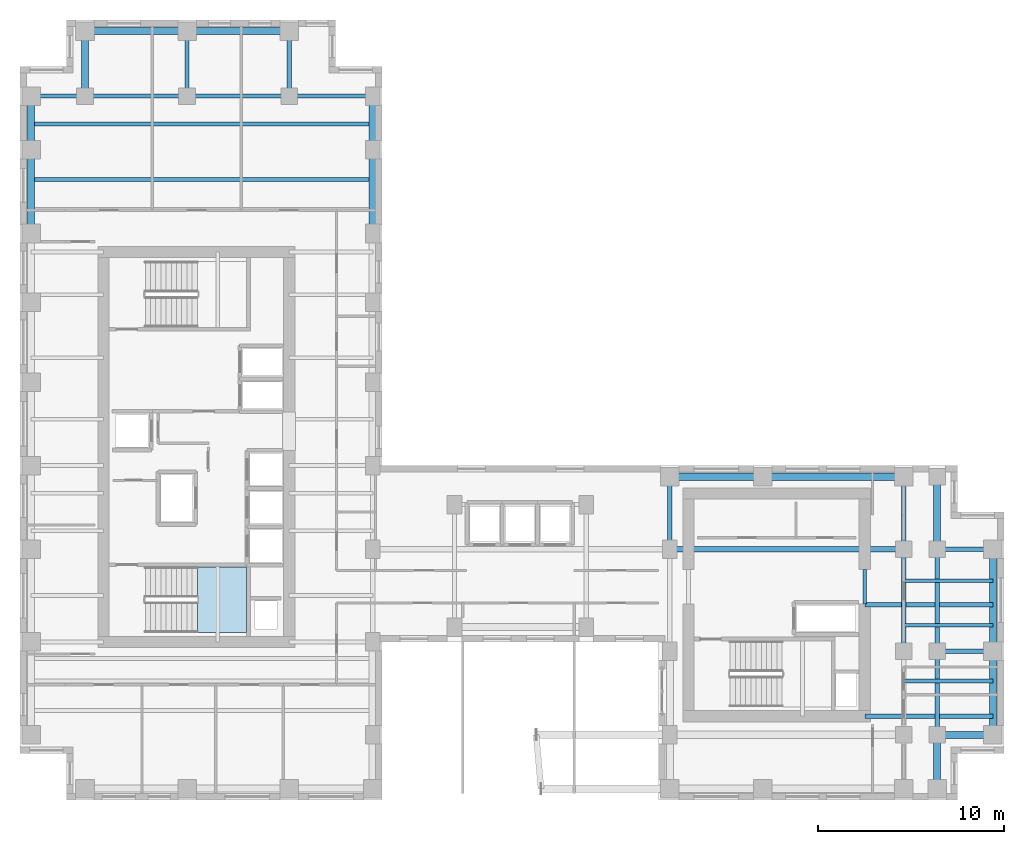
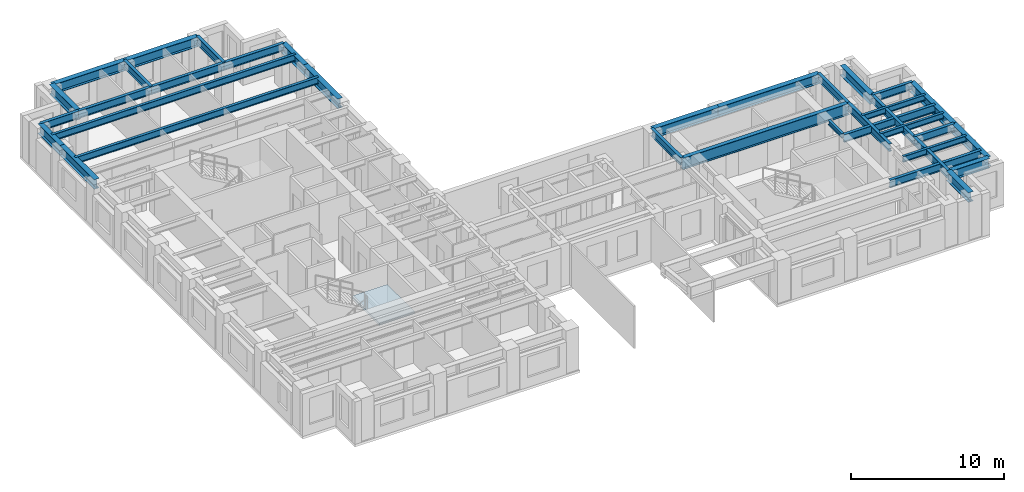
# One storey, part 3 of 13: 36 beams, 1 slab, 1 element without a shape of its own.
"""IFC4 building model written with IfcOpenShell, lengths in metres."""

import ifcopenshell
import ifcopenshell.guid

model = None  # the IFC model being written
_history = None  # IfcOwnerHistory: only IFC2X3 demands one
_inside = {}  # id of a spatial element -> (the spatial element, [elements in it])
_under = {}  # id of a project, library or spatial element -> (it, [spatial elements below it])
_declared = {}  # id of a project -> (the project, [libraries it declares])
_typed = {}  # id of a type object -> (the type object, [elements of that type])
_made_of = {}  # id of a material, layer set ... -> (it, [elements and type objects made of it])


def new_model(schema):
    """Start an empty IFC model of exactly this schema.

    Asked for "IFC4X3", IfcOpenShell would pick the latest addendum, in which some entities
    have other attributes; the version numbers below select the first issue.
    IFC2X3 requires an IfcOwnerHistory on every rooted entity: one is made here for all.
    """
    global model, _history
    if schema == "IFC4X3":
        model = ifcopenshell.file(schema_version=(4, 3, 0, 0))
    else:
        model = ifcopenshell.file(schema=schema)
    _inside.clear()
    _under.clear()
    _declared.clear()
    _typed.clear()
    _made_of.clear()
    _history = None
    if model.schema == "IFC2X3":
        org = make("IfcOrganization", Name="unknown")
        user = make(
            "IfcPersonAndOrganization",
            ThePerson=make("IfcPerson", FamilyName="unknown"),
            TheOrganization=org,
        )
        app = make(
            "IfcApplication",
            ApplicationDeveloper=org,
            Version="unknown",
            ApplicationFullName="unknown",
            ApplicationIdentifier="unknown",
        )
        _history = make(
            "IfcOwnerHistory",
            OwningUser=user,
            OwningApplication=app,
            ChangeAction="ADDED",
            CreationDate=0,
        )
    return model


def make(cls, **values):
    """One entity of the class cls with the attributes given. An attribute that is None is left unset."""
    return model.create_entity(
        cls, **{name: value for name, value in values.items() if value is not None}
    )


def rooted(cls, **values):
    """An entity with a GlobalId (a new one), such as an element, a storey or a relation."""
    return make(cls, GlobalId=ifcopenshell.guid.new(), OwnerHistory=_history, **values)


def si_unit(unit_type, name, prefix=None):
    """IfcSIUnit, for example si_unit("LENGTHUNIT", "METRE", prefix="MILLI")."""
    return make("IfcSIUnit", UnitType=unit_type, Prefix=prefix, Name=name)


def assignment(units):
    """IfcUnitAssignment: the units of a project."""
    return None if units is None else make("IfcUnitAssignment", Units=units)


def point(xyz):
    """IfcCartesianPoint."""
    return None if xyz is None else make("IfcCartesianPoint", Coordinates=xyz)


def direction(xyz):
    """IfcDirection."""
    return None if xyz is None else make("IfcDirection", DirectionRatios=xyz)


def frame(location, z_axis=None, x_axis=None):
    """IfcAxis2Placement3D, a coordinate frame: its origin and axes. An axis left out is left unset."""
    return make(
        "IfcAxis2Placement3D",
        Location=point(location),
        Axis=direction(z_axis),
        RefDirection=direction(x_axis),
    )


def frame_2d(location, x_axis=None):
    """IfcAxis2Placement2D, a coordinate frame in the plane: its origin and x axis."""
    return make(
        "IfcAxis2Placement2D", Location=point(location), RefDirection=direction(x_axis)
    )


def origin():
    """The frame at (0, 0, 0) with its axes left unset."""
    return frame((0.0, 0.0, 0.0))


def origin_2d():
    """The frame at (0, 0) in the plane with its x axis left unset."""
    return frame_2d((0.0, 0.0))


def place(relative_to, where):
    """IfcLocalPlacement: puts the frame where relative to a parent placement (None: the world)."""
    return make(
        "IfcLocalPlacement", PlacementRelTo=relative_to, RelativePlacement=where
    )


def context(
    kind, dimensions, precision=None, world=None, true_north=None, identifier=None
):
    """IfcGeometricRepresentationContext, for example the 3D "Model" context."""
    return make(
        "IfcGeometricRepresentationContext",
        ContextIdentifier=identifier,
        ContextType=kind,
        CoordinateSpaceDimension=dimensions,
        Precision=precision,
        WorldCoordinateSystem=world,
        TrueNorth=true_north,
    )


def subcontext(parent, identifier, kind, view, scale=None):
    """IfcGeometricRepresentationSubContext, for example "Body" below "Model"."""
    return make(
        "IfcGeometricRepresentationSubContext",
        ContextIdentifier=identifier,
        ContextType=kind,
        ParentContext=parent,
        TargetScale=scale,
        TargetView=view,
    )


def project(units=None, contexts=None):
    """IfcProject with its units and contexts."""
    return rooted(
        "IfcProject",
        Name="project",
        RepresentationContexts=contexts,
        UnitsInContext=assignment(units),
    )


def spatial(cls, under=None, at=None, **own):
    """A site, building, storey or space (cls), placed at a placement, below another one or the project."""
    s = rooted(cls, ObjectPlacement=at, **own)
    if under is not None:
        _under.setdefault(under.id(), (under, []))[1].append(s)
    return s


def polyline(points):
    """IfcPolyline through the points."""
    return make("IfcPolyline", Points=[point(p) for p in points])


def profile(cls, at=None, kind="AREA", **sizes):
    """A parametric profile (cls). Its sizes go by their IFC names, for example OverallWidth=200.0."""
    return make(cls, ProfileType=kind, Position=at, **sizes)


def i_section(**sizes):
    """IfcIShapeProfileDef."""
    return profile("IfcIShapeProfileDef", **sizes)


def outline(outer, holes=None, kind="AREA"):
    """IfcArbitraryClosedProfileDef: a profile drawn as a closed curve; with holes, ...WithVoids."""
    if holes is None:
        return make("IfcArbitraryClosedProfileDef", ProfileType=kind, OuterCurve=outer)
    return make(
        "IfcArbitraryProfileDefWithVoids",
        ProfileType=kind,
        OuterCurve=outer,
        InnerCurves=holes,
    )


def extrude(swept, where, along, depth):
    """IfcExtrudedAreaSolid: the profile swept, set in the frame where, extruded along a direction by depth."""
    return make(
        "IfcExtrudedAreaSolid",
        SweptArea=swept,
        Position=where,
        ExtrudedDirection=direction(along),
        Depth=depth,
    )


def shape(context_of_items, identifier, shape_type, items):
    """IfcShapeRepresentation: the items that make up one representation, for example the "Body"."""
    return make(
        "IfcShapeRepresentation",
        ContextOfItems=context_of_items,
        RepresentationIdentifier=identifier,
        RepresentationType=shape_type,
        Items=items,
    )


def source(mapping_origin, context_of_items, identifier, shape_type, items):
    """IfcRepresentationMap: a shape defined once, which mapped items show again and again."""
    return make(
        "IfcRepresentationMap",
        MappingOrigin=mapping_origin,
        MappedRepresentation=shape(context_of_items, identifier, shape_type, items),
    )


def transform(
    local_origin,
    x_axis=None,
    y_axis=None,
    z_axis=None,
    scale=None,
    scale2=None,
    scale3=None,
    uniform=True,
):
    """IfcCartesianTransformationOperator3D, or its non-uniform kind. x_axis, y_axis, z_axis: its Axis1, 2, 3."""
    if uniform:
        return make(
            "IfcCartesianTransformationOperator3D",
            Axis1=direction(x_axis),
            Axis2=direction(y_axis),
            LocalOrigin=point(local_origin),
            Scale=scale,
            Axis3=direction(z_axis),
        )
    return make(
        "IfcCartesianTransformationOperator3DnonUniform",
        Axis1=direction(x_axis),
        Axis2=direction(y_axis),
        LocalOrigin=point(local_origin),
        Scale=scale,
        Axis3=direction(z_axis),
        Scale2=scale2,
        Scale3=scale3,
    )


def mapped(mapping_source, mapping_target):
    """IfcMappedItem: shows the shape of a source again, moved by a transform."""
    return make(
        "IfcMappedItem", MappingSource=mapping_source, MappingTarget=mapping_target
    )


def material(Name=None, Category=None):
    """IfcMaterial."""
    return make("IfcMaterial", Name=Name, Category=Category)


def layer(
    of_material, thickness, ventilated=None, Name=None, Category=None, Priority=None
):
    """IfcMaterialLayer: one layer of a wall or slab, of a material (None: an air gap)."""
    return make(
        "IfcMaterialLayer",
        Material=of_material,
        LayerThickness=thickness,
        IsVentilated=ventilated,
        Name=Name,
        Category=Category,
        Priority=Priority,
    )


def layer_set(layers, Name=None):
    """IfcMaterialLayerSet."""
    return make("IfcMaterialLayerSet", MaterialLayers=layers, LayerSetName=Name)


def material_profile(
    of_material, cross_section, Name=None, Category=None, Priority=None
):
    """IfcMaterialProfile: a cross section and its material."""
    return make(
        "IfcMaterialProfile",
        Name=Name,
        Material=of_material,
        Profile=cross_section,
        Priority=Priority,
        Category=Category,
    )


def profile_set(profiles, Name=None, composite=None):
    """IfcMaterialProfileSet."""
    return make(
        "IfcMaterialProfileSet",
        Name=Name,
        MaterialProfiles=profiles,
        CompositeProfile=composite,
    )


def made_of(thing, what):
    """Note that an element or type object is made of a material, layer set ...; save() writes the relation."""
    if what is not None:
        _made_of.setdefault(what.id(), (what, []))[1].append(thing)
    return thing


def type_object(cls, material=None, **own):
    """A type object (cls), such as IfcWallType, which elements share."""
    return made_of(rooted(cls, **own), material)


def element(
    cls,
    number,
    at=None,
    inside=None,
    cuts=None,
    type_object=None,
    material=None,
    context=None,
    identifier="Body",
    shape_type=None,
    held_by="IfcProductDefinitionShape",
    body=None,
    shapes=None,
    **own,
):
    """One element of the class cls, such as IfcWall. Its Tag is "e" and its number.

    at: its placement. inside: the storey or other place that contains it. cuts: it is an
    opening in that element (IfcRelVoidsElement). A single representation is given by context,
    identifier, shape_type and body (its items); several are given by shapes. held_by: the class
    of the entity that holds the representations. save() writes the other relations.
    """
    e = rooted(cls, Tag="e%d" % number, ObjectPlacement=at, **own)
    if body is not None:
        shapes = [shape(context, identifier, shape_type, body)]
    if shapes is not None:
        e.Representation = make(held_by, Representations=shapes)
    if inside is not None:
        _inside.setdefault(inside.id(), (inside, []))[1].append(e)
    if cuts is not None:
        rooted(
            "IfcRelVoidsElement", RelatingBuildingElement=cuts, RelatedOpeningElement=e
        )
    if type_object is not None:
        _typed.setdefault(type_object.id(), (type_object, []))[1].append(e)
    return made_of(e, material)


def aggregate(whole, parts):
    """IfcRelAggregates: a whole, such as a stair, and the parts it consists of."""
    return rooted("IfcRelAggregates", RelatingObject=whole, RelatedObjects=parts)


def save(model, path):
    """Write the relations noted so far, then the file.

    IfcRelAggregates (storeys below a building ...), IfcRelContainedInSpatialStructure (elements
    in a storey), IfcRelDefinesByType, IfcRelAssociatesMaterial and IfcRelDeclares: one each for
    every whole, place, type object, material and project.
    """
    for whole, parts in _under.values():
        aggregate(whole, parts)
    for where, things in _inside.values():
        rooted(
            "IfcRelContainedInSpatialStructure",
            RelatedElements=things,
            RelatingStructure=where,
        )
    for kind, things in _typed.values():
        rooted("IfcRelDefinesByType", RelatedObjects=things, RelatingType=kind)
    for what, things in _made_of.values():
        rooted("IfcRelAssociatesMaterial", RelatedObjects=things, RelatingMaterial=what)
    for by, libraries in _declared.values():
        rooted("IfcRelDeclares", RelatingContext=by, RelatedDefinitions=libraries)
    model.write(path)


model = new_model("IFC4")

# Units and contexts
model_context = context("Model", 3, precision=1e-05, world=origin(), true_north=direction((0.0, 1.0)))
body_context = subcontext(model_context, "Body", "Model", "MODEL_VIEW")
ifc_project = project(units=[si_unit("LENGTHUNIT", "METRE"), si_unit("AREAUNIT", "SQUARE_METRE"), si_unit("VOLUMEUNIT", "CUBIC_METRE"), si_unit("PLANEANGLEUNIT", "RADIAN"), si_unit("MASSUNIT", "GRAM", prefix="KILO")], contexts=[model_context])

# Site, building, storey
site_placement = place(None, origin())
site = spatial("IfcSite", under=ifc_project, at=site_placement, CompositionType="ELEMENT")
building_placement = place(site_placement, origin())
building = spatial("IfcBuilding", under=site, at=building_placement, Name="Kharzan Plaza Tower", CompositionType="ELEMENT")
storey_placement = place(building_placement, frame((0.0, 0.0, 175.5)))
storey = spatial("IfcBuildingStorey", under=building, at=storey_placement, Name="L47", CompositionType="ELEMENT", Elevation=175.5)

# Beams
ifc_material_1 = material(Name="Steel S355", Category="steel")
ifc_material_profile_1 = material_profile(ifc_material_1, i_section(OverallWidth=0.205078125, OverallDepth=0.35400390625, WebThickness=0.009521484375, FlangeThickness=0.016845703125, at=origin_2d()), Name="W360x79")
ifc_profile_set_1 = profile_set([ifc_material_profile_1], Name="Steel S355")
beam_type_1 = type_object("IfcBeamType", Name="BM-LNT360", PredefinedType="LINTEL", material=ifc_profile_set_1)
shared_shape_1 = source(origin(), body_context, "Body", "SweptSolid", [
    extrude(i_section(OverallWidth=0.205078125, OverallDepth=0.35400390625, WebThickness=0.009521484375, FlangeThickness=0.016845703125, at=origin_2d()), origin(), (0.0, 0.0, 1.0), 1.849853515625),
])
beam_1_placement = place(storey_placement, frame((45.5, 10.550048828125, 3.222900390625), z_axis=(0.0, 1.0, 0.0), x_axis=(-1.0, 0.0, 0.0)))
element("IfcBeam", 1, at=beam_1_placement, inside=storey, type_object=beam_type_1, Name="L47 CORE-B coupling lintel LN1-WE", PredefinedType="LINTEL", context=body_context, shape_type="MappedRepresentation", body=[
    mapped(shared_shape_1, transform((0.0, 0.0, 0.0), x_axis=(1.0, 0.0, 0.0), y_axis=(0.0, 1.0, 0.0), z_axis=(0.0, 0.0, 1.0))),
])
ifc_material_profile_2 = material_profile(ifc_material_1, i_section(OverallWidth=0.304931640625, OverallDepth=0.9189453125, WebThickness=0.017333984375, FlangeThickness=0.02783203125, at=origin_2d()), Name="W920x253")
ifc_profile_set_2 = profile_set([ifc_material_profile_2], Name="Steel S355")
beam_type_2 = type_object("IfcBeamType", Name="BM-FG920B", PredefinedType="BEAM", material=ifc_profile_set_2)
shared_shape_2 = source(origin(), body_context, "Body", "SweptSolid", [
    extrude(i_section(OverallWidth=0.304931640625, OverallDepth=0.9189453125, WebThickness=0.017333984375, FlangeThickness=0.02783203125, at=origin_2d()), origin(), (0.0, 0.0, 1.0), 12.60009765625),
])
beam_2_placement = place(storey_placement, frame((35.0, 13.5, 2.9404296875), z_axis=(1.0, 0.0, 0.0), x_axis=(0.0, 1.0, 0.0)))
element("IfcBeam", 2, at=beam_2_placement, inside=storey, type_object=beam_type_2, Name="L47 Primary Floor Girder", PredefinedType="BEAM", context=body_context, shape_type="MappedRepresentation", body=[
    mapped(shared_shape_2, transform((0.0, 0.0, 0.0), x_axis=(1.0, 0.0, 0.0), y_axis=(0.0, 1.0, 0.0), z_axis=(0.0, 0.0, 1.0))),
])
ifc_material_profile_3 = material_profile(ifc_material_1, i_section(OverallWidth=0.2099609375, OverallDepth=0.537109375, WebThickness=0.010986328125, FlangeThickness=0.017333984375, at=origin_2d()), Name="W530x101")
ifc_profile_set_3 = profile_set([ifc_material_profile_3], Name="Steel S355")
beam_type_3 = type_object("IfcBeamType", Name="BM-JST530B", PredefinedType="JOIST", material=ifc_profile_set_3)
shared_shape_3 = source(origin(), body_context, "Body", "SweptSolid", [
    extrude(i_section(OverallWidth=0.2099609375, OverallDepth=0.537109375, WebThickness=0.010986328125, FlangeThickness=0.017333984375, at=origin_2d()), origin(), (0.0, 0.0, 1.0), 18.39990234375),
])
for number, where, z_axis, x_axis, name in (
    (3, (0.60009765625, 33.39990234375, 3.131591796875), (1.0, 0.0, 0.0), (0.0, 1.0, 0.0), "L47 Wing A Composite Joist 05"),
    (4, (0.60009765625, 36.39990234375, 3.131591796875), (1.0, 0.0, 0.0), (0.0, 1.0, 0.0), "L47 Wing A Composite Joist 06"),
):
    element("IfcBeam", number, at=place(storey_placement, frame(where, z_axis=z_axis, x_axis=x_axis)), inside=storey, type_object=beam_type_3, Name=name, PredefinedType="JOIST", context=body_context, shape_type="MappedRepresentation", body=[
        mapped(shared_shape_3, transform((0.0, 0.0, 0.0), x_axis=(1.0, 0.0, 0.0), y_axis=(0.0, 1.0, 0.0), z_axis=(0.0, 0.0, 1.0))),
    ])
ifc_material_profile_4 = material_profile(ifc_material_1, i_section(OverallWidth=0.22900390625, OverallDepth=0.612060546875, WebThickness=0.011962890625, FlangeThickness=0.01953125, at=origin_2d()), Name="W610x125")
ifc_profile_set_4 = profile_set([ifc_material_profile_4], Name="Steel S355")
beam_type_4 = type_object("IfcBeamType", Name="BM-FG610B", PredefinedType="BEAM", material=ifc_profile_set_4)
shared_shape_4 = source(origin(), body_context, "Body", "SweptSolid", [
    extrude(i_section(OverallWidth=0.22900390625, OverallDepth=0.612060546875, WebThickness=0.011962890625, FlangeThickness=0.01953125, at=origin_2d()), origin(), (0.0, 0.0, 1.0), 4.5),
])
for number, where, z_axis, x_axis, name in (
    (5, (49.39990234375, 3.5, 3.093994140625), (0.0, 1.0, 0.0), (-1.0, 0.0, 0.0), "L47 Interior Frame Girder"),
    (6, (14.5, 37.89990234375, 3.093994140625), (1.0, 0.0, 0.0), (0.0, 1.0, 0.0), "L47 Primary Floor Girder"),
):
    element("IfcBeam", number, at=place(storey_placement, frame(where, z_axis=z_axis, x_axis=x_axis)), inside=storey, type_object=beam_type_4, Name=name, PredefinedType="BEAM", context=body_context, shape_type="MappedRepresentation", body=[
        mapped(shared_shape_4, transform((0.0, 0.0, 0.0), x_axis=(1.0, 0.0, 0.0), y_axis=(0.0, 1.0, 0.0), z_axis=(0.0, 0.0, 1.0))),
    ])
shared_shape_5 = source(origin(), body_context, "Body", "SweptSolid", [
    extrude(i_section(OverallWidth=0.22900390625, OverallDepth=0.612060546875, WebThickness=0.011962890625, FlangeThickness=0.01953125, at=origin_2d()), origin(), (0.0, 0.0, 1.0), 3.89990234375),
])
for number, where, z_axis, x_axis, name in (
    (7, (35.0, 13.5, 3.093994140625), (0.0, 1.0, 0.0), (-1.0, 0.0, 0.0), "L47 Interior Frame Girder"),
    (8, (47.60009765625, 13.5, 3.093994140625), (0.0, 1.0, 0.0), (-1.0, 0.0, 0.0), "L47 Interior Frame Girder"),
):
    element("IfcBeam", number, at=place(storey_placement, frame(where, z_axis=z_axis, x_axis=x_axis)), inside=storey, type_object=beam_type_4, Name=name, PredefinedType="BEAM", context=body_context, shape_type="MappedRepresentation", body=[
        mapped(shared_shape_5, transform((0.0, 0.0, 0.0), x_axis=(1.0, 0.0, 0.0), y_axis=(0.0, 1.0, 0.0), z_axis=(0.0, 0.0, 1.0))),
    ])
shared_shape_6 = source(origin(), body_context, "Body", "SweptSolid", [
    extrude(i_section(OverallWidth=0.22900390625, OverallDepth=0.612060546875, WebThickness=0.011962890625, FlangeThickness=0.01953125, at=origin_2d()), origin(), (0.0, 0.0, 1.0), 6.89990234375),
])
for number, where, z_axis, x_axis, name in (
    (9, (45.5, 4.5, 3.093994140625), (1.0, 0.0, 0.0), (0.0, 1.0, 0.0), "L47 Core-B East Floor Girder 1"),
    (10, (45.5, 10.5, 3.093994140625), (1.0, 0.0, 0.0), (0.0, 1.0, 0.0), "L47 Core-B East Floor Girder 2"),
):
    element("IfcBeam", number, at=place(storey_placement, frame(where, z_axis=z_axis, x_axis=x_axis)), inside=storey, type_object=beam_type_4, Name=name, PredefinedType="BEAM", context=body_context, shape_type="MappedRepresentation", body=[
        mapped(shared_shape_6, transform((0.0, 0.0, 0.0), x_axis=(1.0, 0.0, 0.0), y_axis=(0.0, 1.0, 0.0), z_axis=(0.0, 0.0, 1.0))),
    ])
shared_shape_7 = source(origin(), body_context, "Body", "SweptSolid", [
    extrude(i_section(OverallWidth=0.22900390625, OverallDepth=0.612060546875, WebThickness=0.011962890625, FlangeThickness=0.01953125, at=origin_2d()), origin(), (0.0, 0.0, 1.0), 3.5),
])
for number, where, z_axis, x_axis, name in (
    (11, (9.0, 37.89990234375, 3.093994140625), (0.0, 1.0, 0.0), (-1.0, 0.0, 0.0), "L47 Interior Frame Girder"),
    (12, (14.5, 37.89990234375, 3.093994140625), (0.0, 1.0, 0.0), (-1.0, 0.0, 0.0), "L47 Interior Frame Girder"),
):
    element("IfcBeam", number, at=place(storey_placement, frame(where, z_axis=z_axis, x_axis=x_axis)), inside=storey, type_object=beam_type_4, Name=name, PredefinedType="BEAM", context=body_context, shape_type="MappedRepresentation", body=[
        mapped(shared_shape_7, transform((0.0, 0.0, 0.0), x_axis=(1.0, 0.0, 0.0), y_axis=(0.0, 1.0, 0.0), z_axis=(0.0, 0.0, 1.0))),
    ])
shared_shape_8 = source(origin(), body_context, "Body", "SweptSolid", [
    extrude(i_section(OverallWidth=0.22900390625, OverallDepth=0.612060546875, WebThickness=0.011962890625, FlangeThickness=0.01953125, at=origin_2d()), origin(), (0.0, 0.0, 1.0), 5.5),
])
for number, where, z_axis, x_axis, name in (
    (13, (47.60009765625, 8.0, 3.093994140625), (0.0, 1.0, 0.0), (-1.0, 0.0, 0.0), "L47 Interior Frame Girder"),
    (14, (49.39990234375, 8.0, 3.093994140625), (0.0, 1.0, 0.0), (-1.0, 0.0, 0.0), "L47 Interior Frame Girder"),
    (15, (3.5, 37.89990234375, 3.093994140625), (1.0, 0.0, 0.0), (0.0, 1.0, 0.0), "L47 Primary Floor Girder"),
    (16, (9.0, 37.89990234375, 3.093994140625), (1.0, 0.0, 0.0), (0.0, 1.0, 0.0), "L47 Primary Floor Girder"),
):
    element("IfcBeam", number, at=place(storey_placement, frame(where, z_axis=z_axis, x_axis=x_axis)), inside=storey, type_object=beam_type_4, Name=name, PredefinedType="BEAM", context=body_context, shape_type="MappedRepresentation", body=[
        mapped(shared_shape_8, transform((0.0, 0.0, 0.0), x_axis=(1.0, 0.0, 0.0), y_axis=(0.0, 1.0, 0.0), z_axis=(0.0, 0.0, 1.0))),
    ])
shared_shape_9 = source(origin(), body_context, "Body", "SweptSolid", [
    extrude(i_section(OverallWidth=0.22900390625, OverallDepth=0.612060546875, WebThickness=0.011962890625, FlangeThickness=0.01953125, at=origin_2d()), origin(), (0.0, 0.0, 1.0), 2.89990234375),
])
beam_3_placement = place(storey_placement, frame((0.60009765625, 37.89990234375, 3.093994140625), z_axis=(1.0, 0.0, 0.0), x_axis=(0.0, 1.0, 0.0)))
element("IfcBeam", 17, at=beam_3_placement, inside=storey, type_object=beam_type_4, Name="L47 Primary Floor Girder", PredefinedType="BEAM", context=body_context, shape_type="MappedRepresentation", body=[
    mapped(shared_shape_9, transform((0.0, 0.0, 0.0), x_axis=(1.0, 0.0, 0.0), y_axis=(0.0, 1.0, 0.0), z_axis=(0.0, 0.0, 1.0))),
])
shared_shape_10 = source(origin(), body_context, "Body", "SweptSolid", [
    extrude(i_section(OverallWidth=0.22900390625, OverallDepth=0.612060546875, WebThickness=0.011962890625, FlangeThickness=0.01953125, at=origin_2d()), origin(), (0.0, 0.0, 1.0), 3.0),
])
for number, where, z_axis, x_axis, name in (
    (18, (49.39990234375, 8.0, 3.093994140625), (1.0, 0.0, 0.0), (0.0, 1.0, 0.0), "L47 Primary Floor Girder"),
    (19, (49.39990234375, 13.5, 3.093994140625), (1.0, 0.0, 0.0), (0.0, 1.0, 0.0), "L47 Primary Floor Girder"),
):
    element("IfcBeam", number, at=place(storey_placement, frame(where, z_axis=z_axis, x_axis=x_axis)), inside=storey, type_object=beam_type_4, Name=name, PredefinedType="BEAM", context=body_context, shape_type="MappedRepresentation", body=[
        mapped(shared_shape_10, transform((0.0, 0.0, 0.0), x_axis=(1.0, 0.0, 0.0), y_axis=(0.0, 1.0, 0.0), z_axis=(0.0, 0.0, 1.0))),
    ])
ifc_material_profile_5 = material_profile(ifc_material_1, i_section(OverallWidth=0.194091796875, OverallDepth=0.468994140625, WebThickness=0.011474609375, FlangeThickness=0.0205078125, at=origin_2d()), Name="W460x106")
ifc_profile_set_5 = profile_set([ifc_material_profile_5], Name="Steel S355")
beam_type_5 = type_object("IfcBeamType", Name="BM-JST460", PredefinedType="JOIST", material=ifc_profile_set_5)
shared_shape_11 = source(origin(), body_context, "Body", "SweptSolid", [
    extrude(i_section(OverallWidth=0.194091796875, OverallDepth=0.468994140625, WebThickness=0.011474609375, FlangeThickness=0.0205078125, at=origin_2d()), origin(), (0.0, 0.0, 1.0), 4.7998046875),
])
for number, where, z_axis, x_axis, name in (
    (20, (47.60009765625, 6.39990234375, 3.16552734375), (1.0, 0.0, 0.0), (0.0, 1.0, 0.0), "L47 Wing B Composite Joist 02"),
    (21, (47.60009765625, 9.39990234375, 3.16552734375), (1.0, 0.0, 0.0), (0.0, 1.0, 0.0), "L47 Wing B Composite Joist 03"),
    (22, (47.60009765625, 11.800048828125, 3.16552734375), (1.0, 0.0, 0.0), (0.0, 1.0, 0.0), "L47 Wing B Composite Joist 04"),
):
    element("IfcBeam", number, at=place(storey_placement, frame(where, z_axis=z_axis, x_axis=x_axis)), inside=storey, type_object=beam_type_5, Name=name, PredefinedType="JOIST", context=body_context, shape_type="MappedRepresentation", body=[
        mapped(shared_shape_11, transform((0.0, 0.0, 0.0), x_axis=(1.0, 0.0, 0.0), y_axis=(0.0, 1.0, 0.0), z_axis=(0.0, 0.0, 1.0))),
    ])
ifc_material_profile_6 = material_profile(ifc_material_1, i_section(OverallWidth=0.381103515625, OverallDepth=0.77294921875, WebThickness=0.0166015625, FlangeThickness=0.027587890625, at=origin_2d()), Name="W760x257")
ifc_profile_set_6 = profile_set([ifc_material_profile_6], Name="Steel S355")
beam_type_6 = type_object("IfcBeamType", Name="BM-SP760A", PredefinedType="SPANDREL", material=ifc_profile_set_6)
shared_shape_12 = source(origin(), body_context, "Body", "SweptSolid", [
    extrude(i_section(OverallWidth=0.381103515625, OverallDepth=0.77294921875, WebThickness=0.0166015625, FlangeThickness=0.027587890625, at=origin_2d()), origin(), (0.0, 0.0, 1.0), 5.0),
])
beam_4_placement = place(storey_placement, frame((35.0, 17.39990234375, 3.013427734375), z_axis=(1.0, 0.0, 0.0), x_axis=(0.0, 1.0, 0.0)))
element("IfcBeam", 23, at=beam_4_placement, inside=storey, type_object=beam_type_6, Name="L47 Perimeter Tube Spandrel", PredefinedType="SPANDREL", context=body_context, shape_type="MappedRepresentation", body=[
    mapped(shared_shape_12, transform((0.0, 0.0, 0.0), x_axis=(1.0, 0.0, 0.0), y_axis=(0.0, 1.0, 0.0), z_axis=(0.0, 0.0, 1.0))),
])
shared_shape_13 = source(origin(), body_context, "Body", "SweptSolid", [
    extrude(i_section(OverallWidth=0.381103515625, OverallDepth=0.77294921875, WebThickness=0.0166015625, FlangeThickness=0.027587890625, at=origin_2d()), origin(), (0.0, 0.0, 1.0), 4.5),
])
for number, where, z_axis, x_axis, name in (
    (24, (0.60009765625, 30.5, 3.013427734375), (0.0, 1.0, 0.0), (-1.0, 0.0, 0.0), "L47 Perimeter Tube Spandrel"),
    (25, (19.0, 30.5, 3.013427734375), (0.0, 1.0, 0.0), (-1.0, 0.0, 0.0), "L47 Perimeter Tube Spandrel"),
    (26, (52.39990234375, 3.5, 3.013427734375), (0.0, 1.0, 0.0), (-1.0, 0.0, 0.0), "L47 Perimeter Tube Spandrel"),
):
    element("IfcBeam", number, at=place(storey_placement, frame(where, z_axis=z_axis, x_axis=x_axis)), inside=storey, type_object=beam_type_6, Name=name, PredefinedType="SPANDREL", context=body_context, shape_type="MappedRepresentation", body=[
        mapped(shared_shape_13, transform((0.0, 0.0, 0.0), x_axis=(1.0, 0.0, 0.0), y_axis=(0.0, 1.0, 0.0), z_axis=(0.0, 0.0, 1.0))),
    ])
shared_shape_14 = source(origin(), body_context, "Body", "SweptSolid", [
    extrude(i_section(OverallWidth=0.381103515625, OverallDepth=0.77294921875, WebThickness=0.0166015625, FlangeThickness=0.027587890625, at=origin_2d()), origin(), (0.0, 0.0, 1.0), 2.89990234375),
])
for number, where, z_axis, x_axis, name in (
    (27, (0.60009765625, 35.0, 3.013427734375), (0.0, 1.0, 0.0), (-1.0, 0.0, 0.0), "L47 Perimeter Tube Spandrel"),
    (28, (19.0, 35.0, 3.013427734375), (0.0, 1.0, 0.0), (-1.0, 0.0, 0.0), "L47 Perimeter Tube Spandrel"),
    (29, (49.39990234375, 0.60009765625, 3.013427734375), (0.0, 1.0, 0.0), (-1.0, 0.0, 0.0), "L47 Perimeter Tube Spandrel"),
):
    element("IfcBeam", number, at=place(storey_placement, frame(where, z_axis=z_axis, x_axis=x_axis)), inside=storey, type_object=beam_type_6, Name=name, PredefinedType="SPANDREL", context=body_context, shape_type="MappedRepresentation", body=[
        mapped(shared_shape_14, transform((0.0, 0.0, 0.0), x_axis=(1.0, 0.0, 0.0), y_axis=(0.0, 1.0, 0.0), z_axis=(0.0, 0.0, 1.0))),
    ])
shared_shape_15 = source(origin(), body_context, "Body", "SweptSolid", [
    extrude(i_section(OverallWidth=0.381103515625, OverallDepth=0.77294921875, WebThickness=0.0166015625, FlangeThickness=0.027587890625, at=origin_2d()), origin(), (0.0, 0.0, 1.0), 3.5),
])
beam_5_placement = place(storey_placement, frame((3.5, 37.89990234375, 3.013427734375), z_axis=(0.0, 1.0, 0.0), x_axis=(-1.0, 0.0, 0.0)))
element("IfcBeam", 30, at=beam_5_placement, inside=storey, type_object=beam_type_6, Name="L47 Perimeter Tube Spandrel", PredefinedType="SPANDREL", context=body_context, shape_type="MappedRepresentation", body=[
    mapped(shared_shape_15, transform((0.0, 0.0, 0.0), x_axis=(1.0, 0.0, 0.0), y_axis=(0.0, 1.0, 0.0), z_axis=(0.0, 0.0, 1.0))),
])
shared_shape_16 = source(origin(), body_context, "Body", "SweptSolid", [
    extrude(i_section(OverallWidth=0.381103515625, OverallDepth=0.77294921875, WebThickness=0.0166015625, FlangeThickness=0.027587890625, at=origin_2d()), origin(), (0.0, 0.0, 1.0), 3.89990234375),
])
beam_6_placement = place(storey_placement, frame((49.39990234375, 13.5, 3.013427734375), z_axis=(0.0, 1.0, 0.0), x_axis=(-1.0, 0.0, 0.0)))
element("IfcBeam", 31, at=beam_6_placement, inside=storey, type_object=beam_type_6, Name="L47 Perimeter Tube Spandrel", PredefinedType="SPANDREL", context=body_context, shape_type="MappedRepresentation", body=[
    mapped(shared_shape_16, transform((0.0, 0.0, 0.0), x_axis=(1.0, 0.0, 0.0), y_axis=(0.0, 1.0, 0.0), z_axis=(0.0, 0.0, 1.0))),
])
shared_shape_17 = source(origin(), body_context, "Body", "SweptSolid", [
    extrude(i_section(OverallWidth=0.381103515625, OverallDepth=0.77294921875, WebThickness=0.0166015625, FlangeThickness=0.027587890625, at=origin_2d()), origin(), (0.0, 0.0, 1.0), 5.5),
])
for number, where, z_axis, x_axis, name in (
    (32, (52.39990234375, 8.0, 3.013427734375), (0.0, 1.0, 0.0), (-1.0, 0.0, 0.0), "L47 Perimeter Tube Spandrel"),
    (33, (3.5, 41.39990234375, 3.013427734375), (1.0, 0.0, 0.0), (0.0, 1.0, 0.0), "L47 Perimeter Tube Spandrel"),
    (34, (9.0, 41.39990234375, 3.013427734375), (1.0, 0.0, 0.0), (0.0, 1.0, 0.0), "L47 Perimeter Tube Spandrel"),
):
    element("IfcBeam", number, at=place(storey_placement, frame(where, z_axis=z_axis, x_axis=x_axis)), inside=storey, type_object=beam_type_6, Name=name, PredefinedType="SPANDREL", context=body_context, shape_type="MappedRepresentation", body=[
        mapped(shared_shape_17, transform((0.0, 0.0, 0.0), x_axis=(1.0, 0.0, 0.0), y_axis=(0.0, 1.0, 0.0), z_axis=(0.0, 0.0, 1.0))),
    ])
shared_shape_18 = source(origin(), body_context, "Body", "SweptSolid", [
    extrude(i_section(OverallWidth=0.381103515625, OverallDepth=0.77294921875, WebThickness=0.0166015625, FlangeThickness=0.027587890625, at=origin_2d()), origin(), (0.0, 0.0, 1.0), 7.60009765625),
])
beam_7_placement = place(storey_placement, frame((40.0, 17.39990234375, 3.013427734375), z_axis=(1.0, 0.0, 0.0), x_axis=(0.0, 1.0, 0.0)))
element("IfcBeam", 35, at=beam_7_placement, inside=storey, type_object=beam_type_6, Name="L47 Perimeter Tube Spandrel", PredefinedType="SPANDREL", context=body_context, shape_type="MappedRepresentation", body=[
    mapped(shared_shape_18, transform((0.0, 0.0, 0.0), x_axis=(1.0, 0.0, 0.0), y_axis=(0.0, 1.0, 0.0), z_axis=(0.0, 0.0, 1.0))),
])
shared_shape_19 = source(origin(), body_context, "Body", "SweptSolid", [
    extrude(i_section(OverallWidth=0.381103515625, OverallDepth=0.77294921875, WebThickness=0.0166015625, FlangeThickness=0.027587890625, at=origin_2d()), origin(), (0.0, 0.0, 1.0), 3.0),
])
beam_8_placement = place(storey_placement, frame((49.39990234375, 3.5, 3.013427734375), z_axis=(1.0, 0.0, 0.0), x_axis=(0.0, 1.0, 0.0)))
element("IfcBeam", 36, at=beam_8_placement, inside=storey, type_object=beam_type_6, Name="L47 Perimeter Tube Spandrel", PredefinedType="SPANDREL", context=body_context, shape_type="MappedRepresentation", body=[
    mapped(shared_shape_19, transform((0.0, 0.0, 0.0), x_axis=(1.0, 0.0, 0.0), y_axis=(0.0, 1.0, 0.0), z_axis=(0.0, 0.0, 1.0))),
])

# Stair, slab
ifc_material_2 = material(Name="Concrete C40/50", Category="concrete")
stair_type = type_object("IfcStairType", Name="STR-ST-1", PredefinedType="HALF_TURN_STAIR", material=ifc_material_2)
stair_placement = place(storey_placement, origin())
stair = element("IfcStair", 37, at=stair_placement, inside=storey, type_object=stair_type, Name="L47 Protected Exit Stair ST-1", PredefinedType="HALF_TURN_STAIR")
ifc_layer = layer(ifc_material_2, 0.219970703125)
ifc_layer_set = layer_set([ifc_layer], Name="Concrete C40/50")
slab_type = type_object("IfcSlabType", Name="SL-LANDING-220", PredefinedType="LANDING", material=ifc_layer_set)
slab_placement = place(storey_placement, frame((0.0, 0.0, 1.60009765625)))
slab = element("IfcSlab", 38, at=slab_placement, type_object=slab_type, Name="ST-1 landing 1", PredefinedType="LANDING", context=body_context, shape_type="SweptSolid", body=[
    extrude(outline(polyline([(9.550048828125, 9.0), (12.199951171875, 9.0), (12.199951171875, 12.550048828125), (9.550048828125, 12.550048828125), (9.550048828125, 9.0)])), origin(), (0.0, 0.0, 1.0), 0.199951171875),
])
aggregate(stair, [slab])

save(model, "model.ifc")
